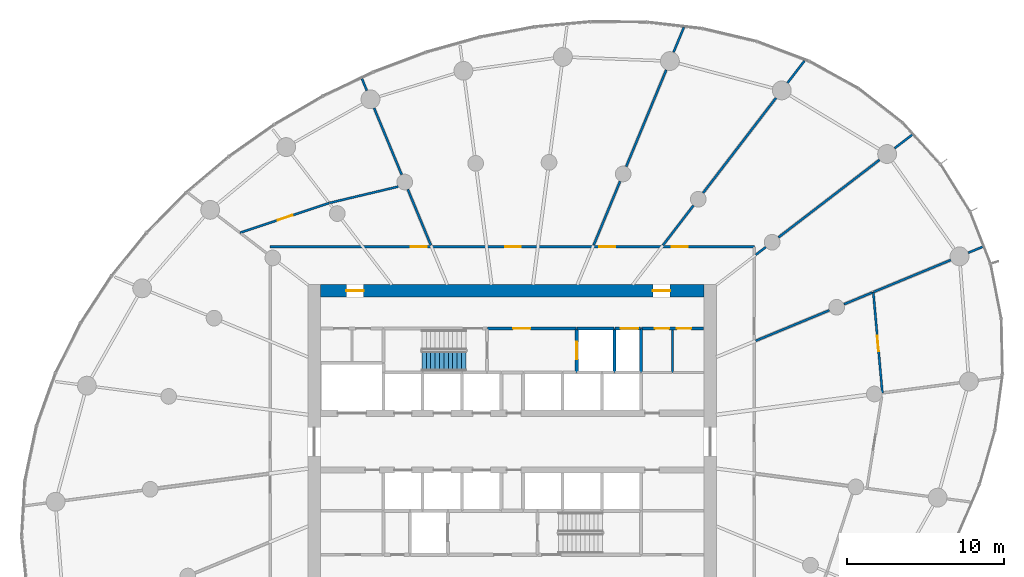
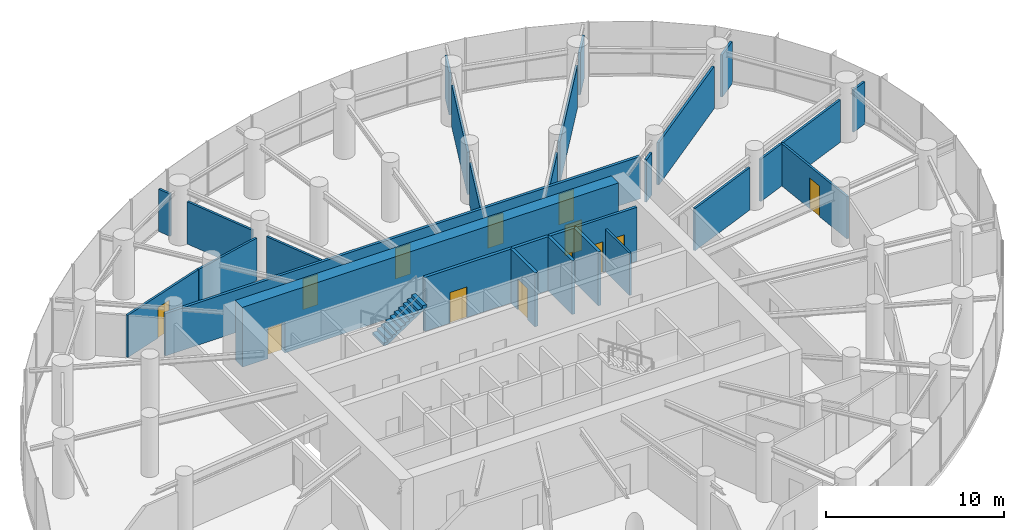
# One storey, part 13 of 17: 29 walls, 13 doors, 1 stair flight, 13 openings, 1 element without a shape of its own.
"""IFC4 building model written with IfcOpenShell, lengths in metres."""

from ifc_helpers import new_model, si_unit, direction, frame, frame_2d, origin, place, context, subcontext, project, spatial, line, indexed_curve, rectangle, outline, extrude, source, transform, mapped, material, layer, layer_set, type_object, element, fill, aggregate, save


model = new_model("IFC4")

# Units and contexts
model_context = context("Model", 3, precision=1e-05, world=origin(), true_north=direction((0.0, 1.0)))
body_context = subcontext(model_context, "Body", "Model", "MODEL_VIEW")
ifc_project = project(units=[si_unit("LENGTHUNIT", "METRE"), si_unit("AREAUNIT", "SQUARE_METRE"), si_unit("VOLUMEUNIT", "CUBIC_METRE"), si_unit("PLANEANGLEUNIT", "RADIAN"), si_unit("MASSUNIT", "GRAM", prefix="KILO")], contexts=[model_context])

# Site, building, storey
site_placement = place(None, origin())
site = spatial("IfcSite", under=ifc_project, at=site_placement, CompositionType="ELEMENT")
building_placement = place(site_placement, origin())
building = spatial("IfcBuilding", under=site, at=building_placement, Name="Spindrift Exchange Tower", CompositionType="ELEMENT")
storey_placement = place(building_placement, frame((0.0, 0.0, 104.39990234375)))
storey = spatial("IfcBuildingStorey", under=building, at=storey_placement, Name="L24", CompositionType="ELEMENT", Elevation=104.39990234375)

# Wall, openings, doors
ifc_material_1 = material(Name="Concrete 65 MPa", Category="concrete")
ifc_layer_1 = layer(ifc_material_1, 0.800048828125)
ifc_layer_set_1 = layer_set([ifc_layer_1], Name="RC Core Wall 800 Concrete 65 MPa")
wall_type_1 = type_object("IfcWallType", Name="RC Core Wall 800 Concrete 65 MPa", PredefinedType="SHEAR", material=ifc_layer_set_1)
wall_1_placement = place(storey_placement, frame((64.199951171875, 57.60009765625, 0.0), z_axis=(0.0, 0.0, 1.0), x_axis=(-1.0, 0.0, 0.0)))
wall_1 = element("IfcWall", 1, at=wall_1_placement, inside=storey, type_object=wall_type_1, Name="Core wall N L24", PredefinedType="SHEAR", context=body_context, shape_type="SweptSolid", body=[
    extrude(rectangle(XDim=24.39990234375, YDim=0.800048828125, at=frame_2d((12.199951171875, 0.0))), origin(), (0.0, 0.0, 1.0), 4.10009765625),
])
opening_1_placement = place(wall_1_placement, frame((21.64990234375, 0.0, 0.0)))
opening_1 = element("IfcOpeningElement", 2, at=opening_1_placement, cuts=wall_1, Name="Opening L24-D20", PredefinedType="OPENING", context=body_context, shape_type="SweptSolid", body=[
    extrude(rectangle(XDim=1.10009765625, YDim=2.10009765625, at=frame_2d((0.550048828125, 1.050048828125))), frame((0.0, 0.409912109375, 0.0), z_axis=(0.0, -1.0, 0.0), x_axis=(1.0, 0.0, 0.0)), (0.0, 0.0, 1.0), 0.820068359375),
])
opening_2_placement = place(wall_1_placement, frame((2.14990234375, 0.0, 0.0)))
opening_2 = element("IfcOpeningElement", 3, at=opening_2_placement, cuts=wall_1, Name="Opening L24-D21", PredefinedType="OPENING", context=body_context, shape_type="SweptSolid", body=[
    extrude(rectangle(XDim=1.10009765625, YDim=2.10009765625, at=frame_2d((0.550048828125, 1.050048828125))), frame((0.0, 0.409912109375, 0.0), z_axis=(0.0, -1.0, 0.0), x_axis=(1.0, 0.0, 0.0)), (0.0, 0.0, 1.0), 0.820068359375),
])
ifc_material_2 = material(Name="Steel fire door", Category="steel")
door_type_1 = type_object("IfcDoorType", Name="DR-STAIR-1100", OperationType="NOTDEFINED", PredefinedType="DOOR", material=ifc_material_2)
shared_shape_1 = source(origin(), body_context, "Body", "SweptSolid", [
    extrude(rectangle(XDim=1.10009765625, YDim=2.10009765625, at=frame_2d((0.550048828125, 1.050048828125))), frame((0.0, 0.02490234375, 0.0), z_axis=(0.0, -1.0, 0.0), x_axis=(1.0, 0.0, 0.0)), (0.0, 0.0, 1.0), 0.050048828125),
])
door_1_placement = place(opening_1_placement, origin())
door_1 = element("IfcDoor", 4, at=door_1_placement, inside=storey, type_object=door_type_1, Name="L24 Stair door 20", OperationType="SINGLE_SWING_RIGHT", OverallHeight=2.10009765625, OverallWidth=1.10009765625, PredefinedType="DOOR", context=body_context, shape_type="MappedRepresentation", body=[
    mapped(shared_shape_1, transform((0.0, 0.0, 0.0), scale=1.0)),
])
fill(opening_1, door_1)
door_2_placement = place(opening_2_placement, origin())
door_2 = element("IfcDoor", 5, at=door_2_placement, inside=storey, type_object=door_type_1, Name="L24 Stair door 21", OperationType="SINGLE_SWING_LEFT", OverallHeight=2.10009765625, OverallWidth=1.10009765625, PredefinedType="DOOR", context=body_context, shape_type="MappedRepresentation", body=[
    mapped(shared_shape_1, transform((0.0, 0.0, 0.0), scale=1.0)),
])
fill(opening_2, door_2)

ifc_material_3 = material(Name="Fire-rated plasterboard partition", Category="gypsum")
ifc_layer_2 = layer(ifc_material_3, 0.179931640625)
ifc_layer_set_2 = layer_set([ifc_layer_2], Name="W-CORR-180")
wall_type_2 = type_object("IfcWallType", Name="W-CORR-180", PredefinedType="PARTITIONING", material=ifc_layer_set_2)
wall_2_placement = place(storey_placement, frame((64.179931640625, 55.199951171875, 0.0), z_axis=(0.0, 0.0, 1.0), x_axis=(-1.0, 0.0, 0.0)))
wall_2 = element("IfcWall", 6, at=wall_2_placement, inside=storey, type_object=wall_type_2, Name="L24 Partition wall 62", PredefinedType="PARTITIONING", context=body_context, shape_type="SweptSolid", body=[
    extrude(rectangle(XDim=3.949951171875, YDim=0.179931640625, at=frame_2d((1.97509765625, 0.0))), origin(), (0.0, 0.0, 1.0), 3.7001953125),
])
opening_3_placement = place(wall_2_placement, frame((2.199951171875, 0.0, 0.0)))
opening_3 = element("IfcOpeningElement", 7, at=opening_3_placement, cuts=wall_2, Name="Opening L24-D51", PredefinedType="OPENING", context=body_context, shape_type="SweptSolid", body=[
    extrude(rectangle(XDim=0.89990234375, YDim=2.10009765625, at=frame_2d((0.449951171875, 1.050048828125))), frame((0.0, 0.099853515625, 0.0), z_axis=(0.0, -1.0, 0.0), x_axis=(1.0, 0.0, 0.0)), (0.0, 0.0, 1.0), 0.199951171875),
])
opening_4_placement = place(wall_2_placement, frame((0.800048828125, 0.0, 0.0)))
opening_4 = element("IfcOpeningElement", 8, at=opening_4_placement, cuts=wall_2, Name="Opening L24-D52", PredefinedType="OPENING", context=body_context, shape_type="SweptSolid", body=[
    extrude(rectangle(XDim=0.89990234375, YDim=2.10009765625, at=frame_2d((0.449951171875, 1.050048828125))), frame((0.0, 0.099853515625, 0.0), z_axis=(0.0, -1.0, 0.0), x_axis=(1.0, 0.0, 0.0)), (0.0, 0.0, 1.0), 0.199951171875),
])
ifc_material_4 = material(Name="Steel access door", Category="steel")
door_type_2 = type_object("IfcDoorType", Name="DR-RISER-900", OperationType="NOTDEFINED", PredefinedType="DOOR", material=ifc_material_4)
shared_shape_2 = source(origin(), body_context, "Body", "SweptSolid", [
    extrude(rectangle(XDim=0.89990234375, YDim=2.10009765625, at=frame_2d((0.449951171875, 1.050048828125))), frame((0.0, 0.02490234375, 0.0), z_axis=(0.0, -1.0, 0.0), x_axis=(1.0, 0.0, 0.0)), (0.0, 0.0, 1.0), 0.050048828125),
])
door_3_placement = place(opening_3_placement, origin())
door_3 = element("IfcDoor", 9, at=door_3_placement, inside=storey, type_object=door_type_2, Name="L24 Riser door 51", OperationType="SINGLE_SWING_LEFT", OverallHeight=2.10009765625, OverallWidth=0.89990234375, PredefinedType="DOOR", context=body_context, shape_type="MappedRepresentation", body=[
    mapped(shared_shape_2, transform((0.0, 0.0, 0.0), scale=1.0)),
])
fill(opening_3, door_3)
door_4_placement = place(opening_4_placement, origin())
door_4 = element("IfcDoor", 10, at=door_4_placement, inside=storey, type_object=door_type_2, Name="L24 Riser door 52", OperationType="SINGLE_SWING_RIGHT", OverallHeight=2.10009765625, OverallWidth=0.89990234375, PredefinedType="DOOR", context=body_context, shape_type="MappedRepresentation", body=[
    mapped(shared_shape_2, transform((0.0, 0.0, 0.0), scale=1.0)),
])
fill(opening_4, door_4)

# Wall, opening, door
ifc_layer_3 = layer(ifc_material_3, 0.139892578125)
ifc_layer_set_3 = layer_set([ifc_layer_3], Name="W-PART-140")
wall_type_3 = type_object("IfcWallType", Name="W-PART-140", PredefinedType="PARTITIONING", material=ifc_layer_set_3)
wall_3_placement = place(storey_placement, frame((34.6748046875, 61.294189453125, 0.0), z_axis=(0.0, 0.0, 1.0), x_axis=(0.948817917671, 0.315823620247, 0.0)))
wall_3 = element("IfcWall", 11, at=wall_3_placement, inside=storey, type_object=wall_type_3, Name="L24 Partition wall 75", PredefinedType="PARTITIONING", context=body_context, shape_type="SweptSolid", body=[
    extrude(rectangle(XDim=5.98095703125, YDim=0.139892578125, at=frame_2d((2.990478515625, 0.0))), origin(), (0.0, 0.0, 1.0), 2.900146484375),
])
opening_5_placement = place(wall_3_placement, frame((2.531005859375, 0.0, 0.0)))
opening_5 = element("IfcOpeningElement", 12, at=opening_5_placement, cuts=wall_3, Name="Opening L24-D38", PredefinedType="OPENING", context=body_context, shape_type="SweptSolid", body=[
    extrude(rectangle(XDim=1.0, YDim=2.10009765625, at=frame_2d((0.5, 1.050048828125))), frame((0.0, 0.079833984375, 0.0), z_axis=(0.0, -1.0, 0.0), x_axis=(1.0, 0.0, 0.0)), (0.0, 0.0, 1.0), 0.159912109375),
])
ifc_material_5 = material(Name="Timber-core fire door", Category="wood")
door_type_3 = type_object("IfcDoorType", Name="DR-ROOM-1000", OperationType="NOTDEFINED", PredefinedType="DOOR", material=ifc_material_5)
shared_shape_3 = source(origin(), body_context, "Body", "SweptSolid", [
    extrude(rectangle(XDim=1.0, YDim=2.10009765625, at=frame_2d((0.5, 1.050048828125))), frame((0.0, 0.02490234375, 0.0), z_axis=(0.0, -1.0, 0.0), x_axis=(1.0, 0.0, 0.0)), (0.0, 0.0, 1.0), 0.050048828125),
])
door_5_placement = place(opening_5_placement, origin())
door_5 = element("IfcDoor", 13, at=door_5_placement, inside=storey, type_object=door_type_3, Name="L24 Door 38", OperationType="SINGLE_SWING_RIGHT", OverallHeight=2.10009765625, OverallWidth=1.0, PredefinedType="DOOR", context=body_context, shape_type="MappedRepresentation", body=[
    mapped(shared_shape_3, transform((0.0, 0.0, 0.0), scale=1.0)),
])
fill(opening_5, door_5)

# Walls
wall_4_placement = place(storey_placement, frame((44.746826171875, 64.2255859375, 0.0), z_axis=(0.0, 0.0, 1.0), x_axis=(-0.973038547424, -0.230642548604, 0.0)))
element("IfcWall", 14, at=wall_4_placement, inside=storey, type_object=wall_type_3, Name="L24 Partition wall 90", PredefinedType="PARTITIONING", context=body_context, shape_type="SweptSolid", body=[
    extrude(rectangle(XDim=4.4892578125, YDim=0.139892578125, at=frame_2d((2.24462890625, 0.0))), origin(), (0.0, 0.0, 1.0), 2.900146484375),
])
wall_5_placement = place(storey_placement, frame((62.199951171875, 52.39990234375, 0.0), z_axis=(0.0, 0.0, 1.0), x_axis=(0.0, 1.0, 0.0)))
element("IfcWall", 15, at=wall_5_placement, inside=storey, type_object=wall_type_3, Name="L24 Partition wall 101", PredefinedType="PARTITIONING", context=body_context, shape_type="SweptSolid", body=[
    extrude(rectangle(XDim=2.710205078125, YDim=0.139892578125, at=frame_2d((1.35498046875, 0.0))), origin(), (0.0, 0.0, 1.0), 2.900146484375),
])
ifc_layer_4 = layer(ifc_material_3, 0.139892578125)
ifc_layer_set_4 = layer_set([ifc_layer_4], Name="W-PLANT-140")
wall_type_4 = type_object("IfcWallType", Name="W-PLANT-140", PredefinedType="PARTITIONING", material=ifc_layer_set_4)
wall_6_placement = place(storey_placement, frame((68.93505859375, 60.99462890625, 0.0), z_axis=(0.0, 0.0, 1.0), x_axis=(0.793358692504, 0.608754453805, 0.0)))
element("IfcWall", 16, at=wall_6_placement, inside=storey, type_object=wall_type_4, Name="L24 Partition wall 65", PredefinedType="PARTITIONING", context=body_context, shape_type="SweptSolid", body=[
    extrude(rectangle(XDim=8.109619140625, YDim=0.139892578125, at=frame_2d((4.0546875, 0.0))), origin(), (0.0, 0.0, 1.0), 2.900146484375),
])
wall_7_placement = place(storey_placement, frame((64.14208984375, 63.823974609375, 0.0), z_axis=(0.0, 0.0, 1.0), x_axis=(0.608755907151, 0.793357577331, 0.0)))
element("IfcWall", 17, at=wall_7_placement, inside=storey, type_object=wall_type_4, Name="L24 Partition wall 66", PredefinedType="PARTITIONING", context=body_context, shape_type="SweptSolid", body=[
    extrude(rectangle(XDim=7.614990234375, YDim=0.139892578125, at=frame_2d((3.8076171875, 0.0))), origin(), (0.0, 0.0, 1.0), 2.900146484375),
])
wall_8_placement = place(storey_placement, frame((59.247802734375, 65.497802734375, 0.0), z_axis=(0.0, 0.0, 1.0), x_axis=(0.382696989205, 0.923873916968, 0.0)))
element("IfcWall", 18, at=wall_8_placement, inside=storey, type_object=wall_type_4, Name="L24 Partition wall 69", PredefinedType="PARTITIONING", context=body_context, shape_type="SweptSolid", body=[
    extrude(rectangle(XDim=6.662841796875, YDim=0.139892578125, at=frame_2d((3.33154296875, 0.0))), origin(), (0.0, 0.0, 1.0), 2.900146484375),
])

# Wall, opening, door
wall_9_placement = place(storey_placement, frame((74.97021484375, 57.5146484375, 0.0), z_axis=(0.0, 0.0, 1.0), x_axis=(0.089462467016, -0.995990194227, 0.0)))
wall_9 = element("IfcWall", 19, at=wall_9_placement, inside=storey, type_object=wall_type_4, Name="L24 Partition wall 71", PredefinedType="PARTITIONING", context=body_context, shape_type="SweptSolid", body=[
    extrude(rectangle(XDim=6.4404296875, YDim=0.139892578125, at=frame_2d((3.22021484375, 0.0))), origin(), (0.0, 0.0, 1.0), 2.900146484375),
])
opening_6_placement = place(wall_9_placement, frame((2.79052734375, 0.0, 0.0)))
opening_6 = element("IfcOpeningElement", 20, at=opening_6_placement, cuts=wall_9, Name="Opening L24-D32", PredefinedType="OPENING", context=body_context, shape_type="SweptSolid", body=[
    extrude(rectangle(XDim=1.0, YDim=2.10009765625, at=frame_2d((0.5, 1.050048828125))), frame((0.0, 0.079833984375, 0.0), z_axis=(0.0, -1.0, 0.0), x_axis=(1.0, 0.0, 0.0)), (0.0, 0.0, 1.0), 0.159912109375),
])
door_6_placement = place(opening_6_placement, origin())
door_6 = element("IfcDoor", 21, at=door_6_placement, inside=storey, type_object=door_type_3, Name="L24 Door 32", OperationType="SINGLE_SWING_RIGHT", OverallHeight=2.10009765625, OverallWidth=1.0, PredefinedType="DOOR", context=body_context, shape_type="MappedRepresentation", body=[
    mapped(shared_shape_3, transform((0.0, 0.0, 0.0), scale=1.0)),
])
fill(opening_6, door_6)

# Walls
wall_10_placement = place(storey_placement, frame((74.998046875, 57.526123046875, 0.0), z_axis=(0.0, 0.0, 1.0), x_axis=(0.923875965801, 0.382692043051, 0.0)))
element("IfcWall", 22, at=wall_10_placement, inside=storey, type_object=wall_type_4, Name="L24 Partition wall 81", PredefinedType="PARTITIONING", context=body_context, shape_type="SweptSolid", body=[
    extrude(rectangle(XDim=5.302001953125, YDim=0.139892578125, at=frame_2d((2.65087890625, 0.0))), origin(), (0.0, 0.0, 1.0), 2.900146484375),
])
wall_11_placement = place(storey_placement, frame((67.489990234375, 54.416259765625, 0.0), z_axis=(0.0, 0.0, 1.0), x_axis=(0.923890025086, 0.382658100067, 0.0)))
element("IfcWall", 23, at=wall_11_placement, inside=storey, type_object=wall_type_4, Name="L24 Partition wall 84", PredefinedType="PARTITIONING", context=body_context, shape_type="SweptSolid", body=[
    extrude(rectangle(XDim=5.068359375, YDim=0.139892578125, at=frame_2d((2.5341796875, 0.0))), origin(), (0.0, 0.0, 1.0), 2.900146484375),
])
wall_12_placement = place(storey_placement, frame((44.965087890625, 64.984130859375, 0.0), z_axis=(0.0, 0.0, 1.0), x_axis=(-0.382705930348, 0.923870213221, 0.0)))
element("IfcWall", 24, at=wall_12_placement, inside=storey, type_object=wall_type_4, Name="L24 Partition wall 89", PredefinedType="PARTITIONING", context=body_context, shape_type="SweptSolid", body=[
    extrude(rectangle(XDim=4.586669921875, YDim=0.139892578125, at=frame_2d((2.29345703125, 0.0))), origin(), (0.0, 0.0, 1.0), 2.900146484375),
])
wall_13_placement = place(storey_placement, frame((57.173583984375, 60.489990234375, 0.0), z_axis=(0.0, 0.0, 1.0), x_axis=(0.382672831764, 0.923883923353, 0.0)))
element("IfcWall", 25, at=wall_13_placement, inside=storey, type_object=wall_type_4, Name="L24 Partition wall 92", PredefinedType="PARTITIONING", context=body_context, shape_type="SweptSolid", body=[
    extrude(rectangle(XDim=4.410400390625, YDim=0.139892578125, at=frame_2d((2.205078125, 0.0))), origin(), (0.0, 0.0, 1.0), 2.900146484375),
])
wall_14_placement = place(storey_placement, frame((46.826416015625, 60.489990234375, 0.0), z_axis=(0.0, 0.0, 1.0), x_axis=(-0.382644558062, 0.923895633817, 0.0)))
element("IfcWall", 26, at=wall_14_placement, inside=storey, type_object=wall_type_4, Name="L24 Partition wall 96", PredefinedType="PARTITIONING", context=body_context, shape_type="SweptSolid", body=[
    extrude(rectangle(XDim=3.854248046875, YDim=0.139892578125, at=frame_2d((1.92724609375, 0.0))), origin(), (0.0, 0.0, 1.0), 2.900146484375),
])
wall_15_placement = place(storey_placement, frame((61.583984375, 60.489990234375, 0.0), z_axis=(0.0, 0.0, 1.0), x_axis=(0.60874605662, 0.793365135703, 0.0)))
element("IfcWall", 27, at=wall_15_placement, inside=storey, type_object=wall_type_4, Name="L24 Partition wall 100", PredefinedType="PARTITIONING", context=body_context, shape_type="SweptSolid", body=[
    extrude(rectangle(XDim=3.193603515625, YDim=0.139892578125, at=frame_2d((1.5966796875, 0.0))), origin(), (0.0, 0.0, 1.0), 2.900146484375),
])
wall_16_placement = place(storey_placement, frame((73.10595703125, 56.7421875, 0.0), z_axis=(0.0, 0.0, 1.0), x_axis=(0.923843914347, 0.382769410904, 0.0)))
element("IfcWall", 28, at=wall_16_placement, inside=storey, type_object=wall_type_4, Name="L24 Partition wall 104", PredefinedType="PARTITIONING", context=body_context, shape_type="SweptSolid", body=[
    extrude(rectangle(XDim=1.94482421875, YDim=0.139892578125, at=frame_2d((0.972412109375, 0.0))), origin(), (0.0, 0.0, 1.0), 2.900146484375),
])
wall_17_placement = place(storey_placement, frame((69.513671875, 70.82421875, 0.0), z_axis=(0.0, 0.0, 1.0), x_axis=(0.608816765526, 0.793310876022, 0.0)))
element("IfcWall", 29, at=wall_17_placement, inside=storey, type_object=wall_type_4, Name="L24 Partition wall 109", PredefinedType="PARTITIONING", context=body_context, shape_type="SweptSolid", body=[
    extrude(rectangle(XDim=1.769287109375, YDim=0.139892578125, at=frame_2d((0.884765625, 0.0))), origin(), (0.0, 0.0, 1.0), 2.900146484375),
])
wall_18_placement = place(storey_placement, frame((62.260498046875, 72.77099609375, 0.0), z_axis=(0.0, 0.0, 1.0), x_axis=(0.382769756697, 0.923843771077, 0.0)))
element("IfcWall", 30, at=wall_18_placement, inside=storey, type_object=wall_type_4, Name="L24 Partition wall 111", PredefinedType="PARTITIONING", context=body_context, shape_type="SweptSolid", body=[
    extrude(rectangle(XDim=1.719482421875, YDim=0.139892578125, at=frame_2d((0.85986328125, 0.0))), origin(), (0.0, 0.0, 1.0), 2.900146484375),
])
wall_19_placement = place(storey_placement, frame((76.32763671875, 66.667236328125, 0.0), z_axis=(0.0, 0.0, 1.0), x_axis=(0.793384012646, 0.608721453932, 0.0)))
element("IfcWall", 31, at=wall_19_placement, inside=storey, type_object=wall_type_4, Name="L24 Partition wall 113", PredefinedType="PARTITIONING", context=body_context, shape_type="SweptSolid", body=[
    extrude(rectangle(XDim=1.431884765625, YDim=0.139892578125, at=frame_2d((0.7158203125, 0.0))), origin(), (0.0, 0.0, 1.0), 2.900146484375),
])
wall_20_placement = place(storey_placement, frame((81.014404296875, 60.018310546875, 0.0), z_axis=(0.0, 0.0, 1.0), x_axis=(0.923909071339, 0.38261211154, 0.0)))
element("IfcWall", 32, at=wall_20_placement, inside=storey, type_object=wall_type_4, Name="L24 Partition wall 121", PredefinedType="PARTITIONING", context=body_context, shape_type="SweptSolid", body=[
    extrude(rectangle(XDim=1.021484375, YDim=0.139892578125, at=frame_2d((0.5107421875, 0.0))), origin(), (0.0, 0.0, 1.0), 2.900146484375),
])
wall_21_placement = place(storey_placement, frame((67.489990234375, 59.885986328125, 0.0), z_axis=(0.0, 0.0, 1.0), x_axis=(0.793316076519, 0.608809989025, 0.0)))
element("IfcWall", 33, at=wall_21_placement, inside=storey, type_object=wall_type_4, Name="L24 Partition wall 124", PredefinedType="PARTITIONING", context=body_context, shape_type="SweptSolid", body=[
    extrude(rectangle(XDim=0.8125, YDim=0.139892578125, at=frame_2d((0.40625, 0.0))), origin(), (0.0, 0.0, 1.0), 2.900146484375),
])
wall_22_placement = place(storey_placement, frame((42.74658203125, 70.339599609375, 0.0), z_axis=(0.0, 0.0, 1.0), x_axis=(-0.382520140646, 0.923947153251, 0.0)))
element("IfcWall", 34, at=wall_22_placement, inside=storey, type_object=wall_type_4, Name="L24 Partition wall 125", PredefinedType="PARTITIONING", context=body_context, shape_type="SweptSolid", body=[
    extrude(rectangle(XDim=0.811279296875, YDim=0.139892578125, at=frame_2d((0.40576171875, 0.0))), origin(), (0.0, 0.0, 1.0), 2.900146484375),
])

# Wall, openings, doors
ifc_layer_5 = layer(ifc_material_3, 0.179931640625)
ifc_layer_set_5 = layer_set([ifc_layer_5], Name="W-PLANT-180")
wall_type_5 = type_object("IfcWallType", Name="W-PLANT-180", PredefinedType="PARTITIONING", material=ifc_layer_set_5)
wall_23_placement = place(storey_placement, frame((36.60009765625, 60.39990234375, 0.0), z_axis=(0.0, 0.0, 1.0), x_axis=(1.0, 0.0, 0.0)))
wall_23 = element("IfcWall", 35, at=wall_23_placement, inside=storey, type_object=wall_type_5, Name="L24 Partition wall 58", PredefinedType="PARTITIONING", context=body_context, shape_type="SweptSolid", body=[
    extrude(rectangle(XDim=30.7998046875, YDim=0.179931640625, at=frame_2d((15.39990234375, 0.0))), origin(), (0.0, 0.0, 1.0), 2.900146484375),
])
opening_7_placement = place(wall_23_placement, frame((25.550048828125, 0.0, 0.0)))
opening_7 = element("IfcOpeningElement", 36, at=opening_7_placement, cuts=wall_23, Name="Opening L24-D34", PredefinedType="OPENING", context=body_context, shape_type="SweptSolid", body=[
    extrude(rectangle(XDim=1.0, YDim=2.10009765625, at=frame_2d((0.5, 1.050048828125))), frame((0.0, 0.099853515625, 0.0), z_axis=(0.0, -1.0, 0.0), x_axis=(1.0, 0.0, 0.0)), (0.0, 0.0, 1.0), 0.199951171875),
])
opening_8_placement = place(wall_23_placement, frame((20.949951171875, 0.0, 0.0)))
opening_8 = element("IfcOpeningElement", 37, at=opening_8_placement, cuts=wall_23, Name="Opening L24-D35", PredefinedType="OPENING", context=body_context, shape_type="SweptSolid", body=[
    extrude(rectangle(XDim=1.0, YDim=2.10009765625, at=frame_2d((0.5, 1.050048828125))), frame((0.0, 0.099853515625, 0.0), z_axis=(0.0, -1.0, 0.0), x_axis=(1.0, 0.0, 0.0)), (0.0, 0.0, 1.0), 0.199951171875),
])
opening_9_placement = place(wall_23_placement, frame((14.949951171875, 0.0, 0.0)))
opening_9 = element("IfcOpeningElement", 38, at=opening_9_placement, cuts=wall_23, Name="Opening L24-D36", PredefinedType="OPENING", context=body_context, shape_type="SweptSolid", body=[
    extrude(rectangle(XDim=1.0, YDim=2.10009765625, at=frame_2d((0.5, 1.050048828125))), frame((0.0, 0.099853515625, 0.0), z_axis=(0.0, -1.0, 0.0), x_axis=(1.0, 0.0, 0.0)), (0.0, 0.0, 1.0), 0.199951171875),
])
opening_10_placement = place(wall_23_placement, frame((8.949951171875, 0.0, 0.0)))
opening_10 = element("IfcOpeningElement", 39, at=opening_10_placement, cuts=wall_23, Name="Opening L24-D37", PredefinedType="OPENING", context=body_context, shape_type="SweptSolid", body=[
    extrude(rectangle(XDim=1.0, YDim=2.10009765625, at=frame_2d((0.5, 1.050048828125))), frame((0.0, 0.099853515625, 0.0), z_axis=(0.0, -1.0, 0.0), x_axis=(1.0, 0.0, 0.0)), (0.0, 0.0, 1.0), 0.199951171875),
])
door_7_placement = place(opening_7_placement, origin())
door_7 = element("IfcDoor", 40, at=door_7_placement, inside=storey, type_object=door_type_3, Name="L24 Door 34", OperationType="SINGLE_SWING_RIGHT", OverallHeight=2.10009765625, OverallWidth=1.0, PredefinedType="DOOR", context=body_context, shape_type="MappedRepresentation", body=[
    mapped(shared_shape_3, transform((0.0, 0.0, 0.0), scale=1.0)),
])
fill(opening_7, door_7)
door_8_placement = place(opening_8_placement, origin())
door_8 = element("IfcDoor", 41, at=door_8_placement, inside=storey, type_object=door_type_3, Name="L24 Door 35", OperationType="SINGLE_SWING_LEFT", OverallHeight=2.10009765625, OverallWidth=1.0, PredefinedType="DOOR", context=body_context, shape_type="MappedRepresentation", body=[
    mapped(shared_shape_3, transform((0.0, 0.0, 0.0), scale=1.0)),
])
fill(opening_8, door_8)
door_9_placement = place(opening_9_placement, origin())
door_9 = element("IfcDoor", 42, at=door_9_placement, inside=storey, type_object=door_type_3, Name="L24 Door 36", OperationType="SINGLE_SWING_RIGHT", OverallHeight=2.10009765625, OverallWidth=1.0, PredefinedType="DOOR", context=body_context, shape_type="MappedRepresentation", body=[
    mapped(shared_shape_3, transform((0.0, 0.0, 0.0), scale=1.0)),
])
fill(opening_9, door_9)
door_10_placement = place(opening_10_placement, origin())
door_10 = element("IfcDoor", 43, at=door_10_placement, inside=storey, type_object=door_type_3, Name="L24 Door 37", OperationType="SINGLE_SWING_LEFT", OverallHeight=2.10009765625, OverallWidth=1.0, PredefinedType="DOOR", context=body_context, shape_type="MappedRepresentation", body=[
    mapped(shared_shape_3, transform((0.0, 0.0, 0.0), scale=1.0)),
])
fill(opening_10, door_10)

# Wall, opening, door
ifc_material_6 = material(Name="Concrete 40 MPa", Category="concrete")
ifc_layer_6 = layer(ifc_material_6, 0.199951171875)
ifc_layer_set_6 = layer_set([ifc_layer_6], Name="W-SHAFT-200")
wall_type_6 = type_object("IfcWallType", Name="W-SHAFT-200", PredefinedType="SOLIDWALL", material=ifc_layer_set_6)
wall_24_placement = place(storey_placement, frame((56.10009765625, 55.169921875, 0.0), z_axis=(0.0, 0.0, 1.0), x_axis=(0.0, -1.0, 0.0)))
wall_24 = element("IfcWall", 44, at=wall_24_placement, inside=storey, type_object=wall_type_6, Name="L24 Shaft wall 12", PredefinedType="SOLIDWALL", context=body_context, shape_type="SweptSolid", body=[
    extrude(rectangle(XDim=2.77001953125, YDim=0.199951171875, at=frame_2d((1.385009765625, 0.0))), origin(), (0.0, 0.0, 1.0), 3.7001953125),
])
opening_11_placement = place(wall_24_placement, frame((0.820068359375, 0.0, 0.0)))
opening_11 = element("IfcOpeningElement", 45, at=opening_11_placement, cuts=wall_24, Name="Opening L24-D9", PredefinedType="OPENING", context=body_context, shape_type="SweptSolid", body=[
    extrude(rectangle(XDim=1.10009765625, YDim=2.10009765625, at=frame_2d((0.550048828125, 1.050048828125))), frame((0.0, 0.10986328125, 0.0), z_axis=(0.0, -1.0, 0.0), x_axis=(1.0, 0.0, 0.0)), (0.0, 0.0, 1.0), 0.219970703125),
])
ifc_material_7 = material(Name="Stainless steel landing door", Category="steel")
door_type_4 = type_object("IfcDoorType", Name="DR-LANDING-1100-SL", OperationType="DOUBLE_DOOR_SLIDING", PredefinedType="USERDEFINED", material=ifc_material_7)
shared_shape_4 = source(origin(), body_context, "Body", "SweptSolid", [
    extrude(rectangle(XDim=1.10009765625, YDim=2.10009765625, at=frame_2d((0.550048828125, 1.050048828125))), frame((0.0, 0.02490234375, 0.0), z_axis=(0.0, -1.0, 0.0), x_axis=(1.0, 0.0, 0.0)), (0.0, 0.0, 1.0), 0.050048828125),
])
door_11_placement = place(opening_11_placement, origin())
door_11 = element("IfcDoor", 46, at=door_11_placement, inside=storey, type_object=door_type_4, Name="L24 Lift landing door 9", ObjectType="LANDING DOOR", OperationType="DOUBLE_DOOR_SLIDING", OverallHeight=2.10009765625, OverallWidth=1.10009765625, PredefinedType="USERDEFINED", context=body_context, shape_type="MappedRepresentation", body=[
    mapped(shared_shape_4, transform((0.0, 0.0, 0.0), scale=1.0)),
])
fill(opening_11, door_11)

# Walls
for number, where, z_axis, x_axis, name in (
    (47, (58.5, 52.39990234375, 0.0), (0.0, 0.0, 1.0), (0.0, 1.0, 0.0), "L24 Shaft wall 13"),
    (48, (60.199951171875, 52.39990234375, 0.0), (0.0, 0.0, 1.0), (0.0, 1.0, 0.0), "L24 Shaft wall 14"),
):
    element("IfcWall", number, at=place(storey_placement, frame(where, z_axis=z_axis, x_axis=x_axis)), inside=storey, type_object=wall_type_6, Name=name, PredefinedType="SOLIDWALL", context=body_context, shape_type="SweptSolid", body=[
        extrude(rectangle(XDim=2.800048828125, YDim=0.199951171875, at=frame_2d((1.39990234375, 0.0))), origin(), (0.0, 0.0, 1.0), 3.7001953125),
    ])
wall_25_placement = place(storey_placement, frame((58.469970703125, 55.199951171875, 0.0), z_axis=(0.0, 0.0, 1.0), x_axis=(-1.0, 0.0, 0.0)))
element("IfcWall", 49, at=wall_25_placement, inside=storey, type_object=wall_type_6, Name="L24 Shaft wall 22", PredefinedType="SOLIDWALL", context=body_context, shape_type="SweptSolid", body=[
    extrude(rectangle(XDim=2.340087890625, YDim=0.199951171875, at=frame_2d((1.169921875, 0.0))), origin(), (0.0, 0.0, 1.0), 3.7001953125),
])

# Wall, opening, door
wall_26_placement = place(storey_placement, frame((60.169921875, 55.199951171875, 0.0), z_axis=(0.0, 0.0, 1.0), x_axis=(-1.0, 0.0, 0.0)))
wall_26 = element("IfcWall", 50, at=wall_26_placement, inside=storey, type_object=wall_type_6, Name="L24 Shaft wall 43", PredefinedType="SOLIDWALL", context=body_context, shape_type="SweptSolid", body=[
    extrude(rectangle(XDim=1.639892578125, YDim=0.199951171875, at=frame_2d((0.81982421875, 0.0))), origin(), (0.0, 0.0, 1.0), 3.7001953125),
])
opening_12_placement = place(wall_26_placement, frame((0.169921875, 0.0, 0.0)))
opening_12 = element("IfcOpeningElement", 51, at=opening_12_placement, cuts=wall_26, Name="Opening L24-D11", PredefinedType="OPENING", context=body_context, shape_type="SweptSolid", body=[
    extrude(rectangle(XDim=1.10009765625, YDim=2.10009765625, at=frame_2d((0.550048828125, 1.050048828125))), frame((0.0, 0.10986328125, 0.0), z_axis=(0.0, -1.0, 0.0), x_axis=(1.0, 0.0, 0.0)), (0.0, 0.0, 1.0), 0.219970703125),
])
door_12_placement = place(opening_12_placement, origin())
door_12 = element("IfcDoor", 52, at=door_12_placement, inside=storey, type_object=door_type_4, Name="L24 Lift landing door 11", ObjectType="LANDING DOOR", OperationType="DOUBLE_DOOR_SLIDING", OverallHeight=2.10009765625, OverallWidth=1.10009765625, PredefinedType="USERDEFINED", context=body_context, shape_type="MappedRepresentation", body=[
    mapped(shared_shape_4, transform((0.0, 0.0, 0.0), scale=1.0)),
])
fill(opening_12, door_12)

ifc_layer_7 = layer(ifc_material_6, 0.199951171875)
ifc_layer_set_7 = layer_set([ifc_layer_7], Name="W-SHAFT-200-LB")
wall_type_7 = type_object("IfcWallType", Name="W-SHAFT-200-LB", PredefinedType="SOLIDWALL", material=ifc_layer_set_7)
wall_27_placement = place(storey_placement, frame((56.10009765625, 55.199951171875, 0.0), z_axis=(0.0, 0.0, 1.0), x_axis=(-1.0, 0.0, 0.0)))
wall_27 = element("IfcWall", 53, at=wall_27_placement, inside=storey, type_object=wall_type_7, Name="L24 Shaft wall 4", PredefinedType="SOLIDWALL", context=body_context, shape_type="SweptSolid", body=[
    extrude(rectangle(XDim=5.670166015625, YDim=0.199951171875, at=frame_2d((2.8349609375, 0.0))), origin(), (0.0, 0.0, 1.0), 3.7001953125),
])
opening_13_placement = place(wall_27_placement, frame((2.949951171875, 0.0, 0.0)))
opening_13 = element("IfcOpeningElement", 54, at=opening_13_placement, cuts=wall_27, Name="Opening L24-D15", PredefinedType="OPENING", context=body_context, shape_type="SweptSolid", body=[
    extrude(rectangle(XDim=1.10009765625, YDim=2.10009765625, at=frame_2d((0.550048828125, 1.050048828125))), frame((0.0, 0.10986328125, 0.0), z_axis=(0.0, -1.0, 0.0), x_axis=(1.0, 0.0, 0.0)), (0.0, 0.0, 1.0), 0.219970703125),
])
door_type_5 = type_object("IfcDoorType", Name="DR-LOBBY-1100", OperationType="NOTDEFINED", PredefinedType="DOOR", material=ifc_material_5)
shared_shape_5 = source(origin(), body_context, "Body", "SweptSolid", [
    extrude(rectangle(XDim=1.10009765625, YDim=2.10009765625, at=frame_2d((0.550048828125, 1.050048828125))), frame((0.0, 0.02490234375, 0.0), z_axis=(0.0, -1.0, 0.0), x_axis=(1.0, 0.0, 0.0)), (0.0, 0.0, 1.0), 0.050048828125),
])
door_13_placement = place(opening_13_placement, origin())
door_13 = element("IfcDoor", 55, at=door_13_placement, inside=storey, type_object=door_type_5, Name="L24 Lobby door 15", OperationType="SINGLE_SWING_LEFT", OverallHeight=2.10009765625, OverallWidth=1.10009765625, PredefinedType="DOOR", context=body_context, shape_type="MappedRepresentation", body=[
    mapped(shared_shape_5, transform((0.0, 0.0, 0.0), scale=1.0)),
])
fill(opening_13, door_13)

# Stair, stair flight
ifc_material_8 = material(Name="Concrete 50 MPa", Category="concrete")
stair_type = type_object("IfcStairType", Name="ST-1250-R186", PredefinedType="HALF_TURN_STAIR", material=ifc_material_8)
stair_placement = place(storey_placement, origin())
stair = element("IfcStair", 56, at=stair_placement, inside=storey, type_object=stair_type, Name="L24 Exit stair ST1", PredefinedType="HALF_TURN_STAIR")
stair_flight_type = type_object("IfcStairFlightType", Name="STF-1250-R186", PredefinedType="STRAIGHT", material=ifc_material_8)
stair_flight_placement = place(storey_placement, frame((46.25, 53.125, 2.050048828125), z_axis=(0.0, 0.0, 1.0), x_axis=(1.0, 0.0, 0.0)))
stair_flight = element("IfcStairFlight", 57, at=stair_flight_placement, type_object=stair_flight_type, Name="ST1 flight 2", NumberOfRisers=11, NumberOfTreads=10, PredefinedType="STRAIGHT", RiserHeight=0.186363636, TreadLength=0.28, context=body_context, shape_type="SweptSolid", body=[
    extrude(outline(indexed_curve([(0.0, 0.0), (0.0, 0.1865234375), (0.2802734375, 0.1865234375), (0.2802734375, 0.373046875), (0.5595703125, 0.373046875), (0.5595703125, 0.5595703125), (0.83984375, 0.5595703125), (0.83984375, 0.7451171875), (1.1201171875, 0.7451171875), (1.1201171875, 0.931640625), (1.400390625, 0.931640625), (1.400390625, 1.1181640625), (1.6796875, 1.1181640625), (1.6796875, 1.3046875), (1.9599609375, 1.3046875), (1.9599609375, 1.4912109375), (2.240234375, 1.4912109375), (2.240234375, 1.677734375), (2.51953125, 1.677734375), (2.51953125, 1.86328125), (2.7998046875, 1.86328125), (2.7998046875, 2.0498046875), (2.7998046875, 1.68359375), (0.2705078125, 0.0)], segments=[line(1, 2, 3, 4, 5, 6, 7, 8, 9, 10, 11, 12, 13, 14, 15, 16, 17, 18, 19, 20, 21, 22, 23, 24, 1)], self_intersect=False)), frame((0.0, 0.625, 0.0), z_axis=(0.0, -1.0, 0.0), x_axis=(1.0, 0.0, 0.0)), (0.0, 0.0, 1.0), 1.25),
])
aggregate(stair, [stair_flight])

save(model, "model.ifc")
